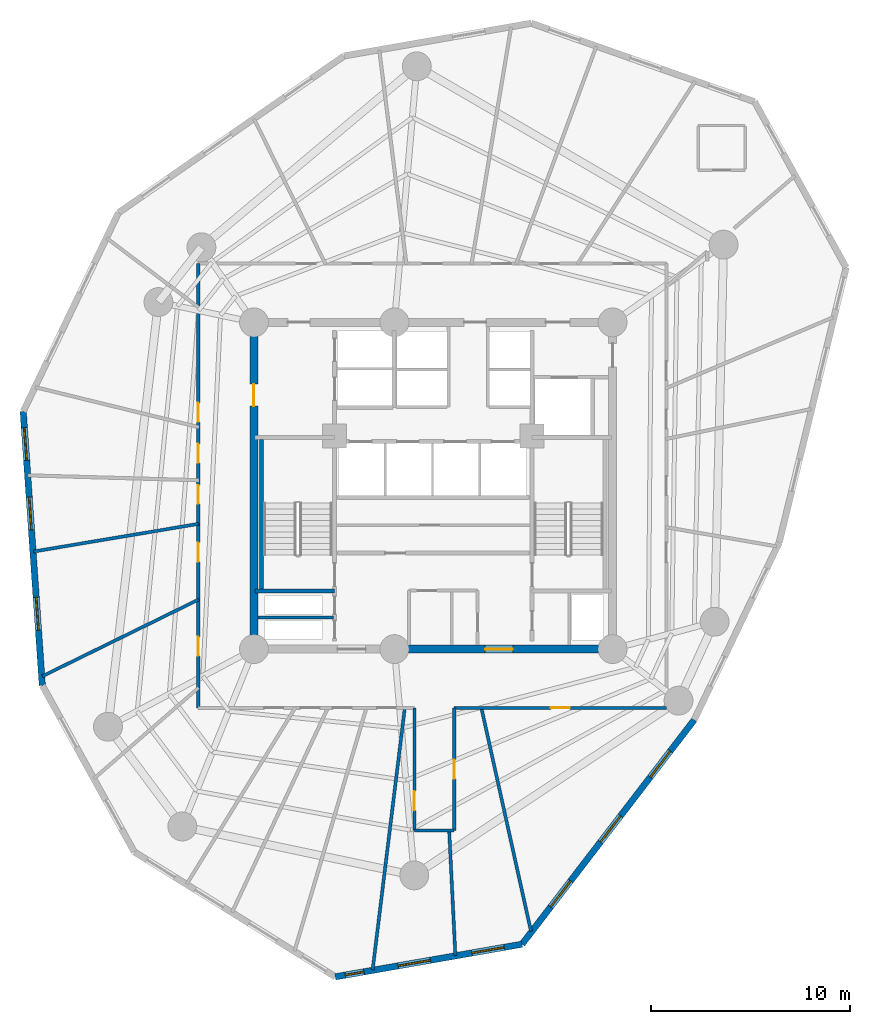
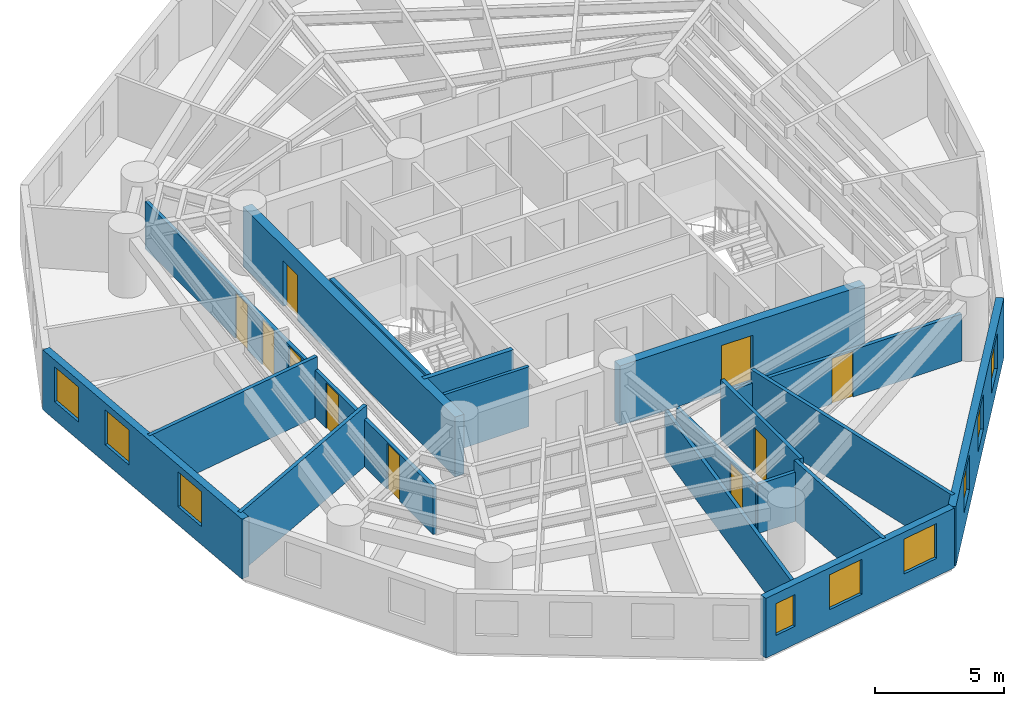
# One storey, part 3 of 7: 18 walls, 10 doors, 9 windows, 19 openings.
"""IFC4 building model written with IfcOpenShell, lengths in metres."""

from ifc_helpers import new_model, si_unit, direction, frame, frame_2d, origin, origin_with_axes, place, context, subcontext, project, spatial, rectangle, extrude, source, transform, mapped, material, layer, layer_set, type_object, element, fill, save


model = new_model("IFC4")

# Units and contexts
model_context = context("Model", 3, precision=1e-05, world=origin(), true_north=direction((0.0, 1.0)))
body_context = subcontext(model_context, "Body", "Model", "MODEL_VIEW")
ifc_project = project(units=[si_unit("LENGTHUNIT", "METRE"), si_unit("AREAUNIT", "SQUARE_METRE"), si_unit("VOLUMEUNIT", "CUBIC_METRE"), si_unit("PLANEANGLEUNIT", "RADIAN"), si_unit("MASSUNIT", "GRAM", prefix="KILO")], contexts=[model_context])

# Site, building, storey
site_placement = place(None, origin())
site = spatial("IfcSite", under=ifc_project, at=site_placement, CompositionType="ELEMENT")
building_placement = place(site_placement, origin())
building = spatial("IfcBuilding", under=site, at=building_placement, Name="Karkom Vertical University and Central Library", CompositionType="ELEMENT")
storey_placement = place(building_placement, frame((0.0, 0.0, 123.64990234375)))
storey = spatial("IfcBuildingStorey", under=building, at=storey_placement, Name="L34", CompositionType="ELEMENT", Elevation=123.64990234375)

# Wall, openings, windows
ifc_material_1 = material(Name="Brick-faced precast concrete C45/55", Category="masonry")
ifc_layer_1 = layer(ifc_material_1, 0.320068359375)
ifc_layer_set_1 = layer_set([ifc_layer_1], Name="Brick-faced precast concrete C45/55")
wall_type_1 = type_object("IfcWallType", Name="ENV-WL-BRK-320", PredefinedType="SOLIDWALL", material=ifc_layer_set_1)
wall_1_placement = place(storey_placement, frame((7.916748046875, 30.232666015625, 0.0), z_axis=(0.0, 0.0, 1.0), x_axis=(0.069619560058, -0.997573614756, 0.0)))
wall_1 = element("IfcWall", 1, at=wall_1_placement, inside=storey, type_object=wall_type_1, Name="Level 34 Brick-Faced Precast Facade Wall 02", PredefinedType="SOLIDWALL", context=body_context, shape_type="SweptSolid", body=[
    extrude(rectangle(XDim=13.795654296875, YDim=0.320068359375, at=frame_2d((6.89794921875, 0.0))), origin(), (0.0, 0.0, 1.0), 2.8251953125),
])
opening_1_placement = place(wall_1_placement, frame((0.81787109375, 0.0, 0.85009765625)))
opening_1 = element("IfcOpeningElement", 2, at=opening_1_placement, cuts=wall_1, Name="Opening WN-06", PredefinedType="OPENING", context=body_context, shape_type="SweptSolid", body=[
    extrude(rectangle(XDim=1.64990234375, YDim=1.64990234375, at=frame_2d((0.824951171875, 0.824951171875))), frame((0.0, 0.169921875, 0.0), z_axis=(0.0, -1.0, 0.0), x_axis=(1.0, 0.0, 0.0)), (0.0, 0.0, 1.0), 0.340087890625),
])
opening_2_placement = place(wall_1_placement, frame((4.313232421875, 0.0, 0.85009765625)))
opening_2 = element("IfcOpeningElement", 3, at=opening_2_placement, cuts=wall_1, Name="Opening WN-06", PredefinedType="OPENING", context=body_context, shape_type="SweptSolid", body=[
    extrude(rectangle(XDim=1.64990234375, YDim=1.64990234375, at=frame_2d((0.824951171875, 0.824951171875))), frame((0.0, 0.169921875, 0.0), z_axis=(0.0, -1.0, 0.0), x_axis=(1.0, 0.0, 0.0)), (0.0, 0.0, 1.0), 0.340087890625),
])
opening_3_placement = place(wall_1_placement, frame((9.35888671875, 0.0, 0.85009765625)))
opening_3 = element("IfcOpeningElement", 4, at=opening_3_placement, cuts=wall_1, Name="Opening WN-06", PredefinedType="OPENING", context=body_context, shape_type="SweptSolid", body=[
    extrude(rectangle(XDim=1.64990234375, YDim=1.64990234375, at=frame_2d((0.824951171875, 0.824951171875))), frame((0.0, 0.169921875, 0.0), z_axis=(0.0, -1.0, 0.0), x_axis=(1.0, 0.0, 0.0)), (0.0, 0.0, 1.0), 0.340087890625),
])
ifc_material_2 = material(Name="Aluminium thermal-break frame with solar-control IGU", Category="aluminium")
window_type_1 = type_object("IfcWindowType", Name="ENV-WIN-WN-06", PartitioningType="SINGLE_PANEL", PredefinedType="WINDOW", material=ifc_material_2)
shared_shape_1 = source(origin_with_axes(), body_context, "Body", "SweptSolid", [
    extrude(rectangle(XDim=1.64990234375, YDim=1.64990234375, at=frame_2d((0.824951171875, 0.824951171875))), frame((0.0, 0.030029296875, 0.0), z_axis=(0.0, -1.0, 0.0), x_axis=(1.0, 0.0, 0.0)), (0.0, 0.0, 1.0), 0.06005859375),
])
window_1_placement = place(opening_1_placement, origin())
window_1 = element("IfcWindow", 5, at=window_1_placement, inside=storey, type_object=window_type_1, Name="Level 34 Punched Window 2.1", OverallHeight=1.64990234375, OverallWidth=1.64990234375, PartitioningType="SINGLE_PANEL", PredefinedType="WINDOW", context=body_context, shape_type="MappedRepresentation", body=[
    mapped(shared_shape_1, transform((0.0, 0.0, 0.0), scale=1.0)),
])
fill(opening_1, window_1)
window_2_placement = place(opening_2_placement, origin())
window_2 = element("IfcWindow", 6, at=window_2_placement, inside=storey, type_object=window_type_1, Name="Level 34 Punched Window 2.2", OverallHeight=1.64990234375, OverallWidth=1.64990234375, PartitioningType="SINGLE_PANEL", PredefinedType="WINDOW", context=body_context, shape_type="MappedRepresentation", body=[
    mapped(shared_shape_1, transform((0.0, 0.0, 0.0), scale=1.0)),
])
fill(opening_2, window_2)
window_3_placement = place(opening_3_placement, origin())
window_3 = element("IfcWindow", 7, at=window_3_placement, inside=storey, type_object=window_type_1, Name="Level 34 Punched Window 2.3", OverallHeight=1.64990234375, OverallWidth=1.64990234375, PartitioningType="SINGLE_PANEL", PredefinedType="WINDOW", context=body_context, shape_type="MappedRepresentation", body=[
    mapped(shared_shape_1, transform((0.0, 0.0, 0.0), scale=1.0)),
])
fill(opening_3, window_3)

wall_2_placement = place(storey_placement, frame((23.580322265625, 1.85009765625, 0.0), z_axis=(0.0, 0.0, 1.0), x_axis=(0.985090629545, 0.172036192654, 0.0)))
wall_2 = element("IfcWall", 8, at=wall_2_placement, inside=storey, type_object=wall_type_1, Name="Level 34 Brick-Faced Precast Facade Wall 05", PredefinedType="SOLIDWALL", context=body_context, shape_type="SweptSolid", body=[
    extrude(rectangle(XDim=9.5166015625, YDim=0.320068359375, at=frame_2d((4.75830078125, 0.0))), origin(), (0.0, 0.0, 1.0), 2.8251953125),
])
opening_4_placement = place(wall_2_placement, frame((0.514892578125, 0.0, 0.85009765625)))
opening_4 = element("IfcOpeningElement", 9, at=opening_4_placement, cuts=wall_2, Name="Opening WN-12", PredefinedType="OPENING", context=body_context, shape_type="SweptSolid", body=[
    extrude(rectangle(XDim=0.949951171875, YDim=1.5, at=frame_2d((0.47509765625, 0.75))), frame((0.0, 0.169921875, 0.0), z_axis=(0.0, -1.0, 0.0), x_axis=(1.0, 0.0, 0.0)), (0.0, 0.0, 1.0), 0.340087890625),
])
opening_5_placement = place(wall_2_placement, frame((3.199462890625, 0.0, 0.85009765625)))
opening_5 = element("IfcOpeningElement", 10, at=opening_5_placement, cuts=wall_2, Name="Opening WN-06", PredefinedType="OPENING", context=body_context, shape_type="SweptSolid", body=[
    extrude(rectangle(XDim=1.64990234375, YDim=1.64990234375, at=frame_2d((0.824951171875, 0.824951171875))), frame((0.0, 0.169921875, 0.0), z_axis=(0.0, -1.0, 0.0), x_axis=(1.0, 0.0, 0.0)), (0.0, 0.0, 1.0), 0.340087890625),
])
opening_6_placement = place(wall_2_placement, frame((6.9677734375, 0.0, 0.85009765625)))
opening_6 = element("IfcOpeningElement", 11, at=opening_6_placement, cuts=wall_2, Name="Opening WN-06", PredefinedType="OPENING", context=body_context, shape_type="SweptSolid", body=[
    extrude(rectangle(XDim=1.64990234375, YDim=1.64990234375, at=frame_2d((0.824951171875, 0.824951171875))), frame((0.0, 0.169921875, 0.0), z_axis=(0.0, -1.0, 0.0), x_axis=(1.0, 0.0, 0.0)), (0.0, 0.0, 1.0), 0.340087890625),
])
window_4_placement = place(opening_5_placement, origin())
window_4 = element("IfcWindow", 12, at=window_4_placement, inside=storey, type_object=window_type_1, Name="Level 34 Punched Window 5.2", OverallHeight=1.64990234375, OverallWidth=1.64990234375, PartitioningType="SINGLE_PANEL", PredefinedType="WINDOW", context=body_context, shape_type="MappedRepresentation", body=[
    mapped(shared_shape_1, transform((0.0, 0.0, 0.0), scale=1.0)),
])
fill(opening_5, window_4)
window_5_placement = place(opening_6_placement, origin())
window_5 = element("IfcWindow", 13, at=window_5_placement, inside=storey, type_object=window_type_1, Name="Level 34 Punched Window 5.3", OverallHeight=1.64990234375, OverallWidth=1.64990234375, PartitioningType="SINGLE_PANEL", PredefinedType="WINDOW", context=body_context, shape_type="MappedRepresentation", body=[
    mapped(shared_shape_1, transform((0.0, 0.0, 0.0), scale=1.0)),
])
fill(opening_6, window_5)
window_type_2 = type_object("IfcWindowType", Name="ENV-WIN-WN-12", PartitioningType="SINGLE_PANEL", PredefinedType="WINDOW", material=ifc_material_2)
shared_shape_2 = source(origin_with_axes(), body_context, "Body", "SweptSolid", [
    extrude(rectangle(XDim=0.949951171875, YDim=1.5, at=frame_2d((0.47509765625, 0.75))), frame((0.0, 0.030029296875, 0.0), z_axis=(0.0, -1.0, 0.0), x_axis=(1.0, 0.0, 0.0)), (0.0, 0.0, 1.0), 0.06005859375),
])
window_6_placement = place(opening_4_placement, origin())
window_6 = element("IfcWindow", 14, at=window_6_placement, inside=storey, type_object=window_type_2, Name="Level 34 Punched Window 5.1", OverallHeight=1.5, OverallWidth=0.949951171875, PartitioningType="SINGLE_PANEL", PredefinedType="WINDOW", context=body_context, shape_type="MappedRepresentation", body=[
    mapped(shared_shape_2, transform((0.0, 0.0, 0.0), scale=1.0)),
])
fill(opening_4, window_6)

wall_3_placement = place(storey_placement, frame((32.955078125, 3.4873046875, 0.0), z_axis=(0.0, 0.0, 1.0), x_axis=(0.608995925668, 0.793173349603, 0.0)))
wall_3 = element("IfcWall", 15, at=wall_3_placement, inside=storey, type_object=wall_type_1, Name="Level 34 Brick-Faced Precast Facade Wall 06", PredefinedType="SOLIDWALL", context=body_context, shape_type="SweptSolid", body=[
    extrude(rectangle(XDim=14.199462890625, YDim=0.320068359375, at=frame_2d((7.099609375, 0.0))), origin(), (0.0, 0.0, 1.0), 2.8251953125),
])
opening_7_placement = place(wall_3_placement, frame((2.35986328125, 0.0, 0.85009765625)))
opening_7 = element("IfcOpeningElement", 16, at=opening_7_placement, cuts=wall_3, Name="Opening WN-06", PredefinedType="OPENING", context=body_context, shape_type="SweptSolid", body=[
    extrude(rectangle(XDim=1.64990234375, YDim=1.64990234375, at=frame_2d((0.824951171875, 0.824951171875))), frame((0.0, 0.169921875, 0.0), z_axis=(0.0, -1.0, 0.0), x_axis=(1.0, 0.0, 0.0)), (0.0, 0.0, 1.0), 0.340087890625),
])
opening_8_placement = place(wall_3_placement, frame((6.466552734375, 0.0, 0.85009765625)))
opening_8 = element("IfcOpeningElement", 17, at=opening_8_placement, cuts=wall_3, Name="Opening WN-06", PredefinedType="OPENING", context=body_context, shape_type="SweptSolid", body=[
    extrude(rectangle(XDim=1.64990234375, YDim=1.64990234375, at=frame_2d((0.824951171875, 0.824951171875))), frame((0.0, 0.169921875, 0.0), z_axis=(0.0, -1.0, 0.0), x_axis=(1.0, 0.0, 0.0)), (0.0, 0.0, 1.0), 0.340087890625),
])
opening_9_placement = place(wall_3_placement, frame((10.572998046875, 0.0, 0.85009765625)))
opening_9 = element("IfcOpeningElement", 18, at=opening_9_placement, cuts=wall_3, Name="Opening WN-06", PredefinedType="OPENING", context=body_context, shape_type="SweptSolid", body=[
    extrude(rectangle(XDim=1.64990234375, YDim=1.64990234375, at=frame_2d((0.824951171875, 0.824951171875))), frame((0.0, 0.169921875, 0.0), z_axis=(0.0, -1.0, 0.0), x_axis=(1.0, 0.0, 0.0)), (0.0, 0.0, 1.0), 0.340087890625),
])
window_7_placement = place(opening_7_placement, origin())
window_7 = element("IfcWindow", 19, at=window_7_placement, inside=storey, type_object=window_type_1, Name="Level 34 Punched Window 6.1", OverallHeight=1.64990234375, OverallWidth=1.64990234375, PartitioningType="SINGLE_PANEL", PredefinedType="WINDOW", context=body_context, shape_type="MappedRepresentation", body=[
    mapped(shared_shape_1, transform((0.0, 0.0, 0.0), scale=1.0)),
])
fill(opening_7, window_7)
window_8_placement = place(opening_8_placement, origin())
window_8 = element("IfcWindow", 20, at=window_8_placement, inside=storey, type_object=window_type_1, Name="Level 34 Punched Window 6.2", OverallHeight=1.64990234375, OverallWidth=1.64990234375, PartitioningType="SINGLE_PANEL", PredefinedType="WINDOW", context=body_context, shape_type="MappedRepresentation", body=[
    mapped(shared_shape_1, transform((0.0, 0.0, 0.0), scale=1.0)),
])
fill(opening_8, window_8)
window_9_placement = place(opening_9_placement, origin())
window_9 = element("IfcWindow", 21, at=window_9_placement, inside=storey, type_object=window_type_1, Name="Level 34 Punched Window 6.3", OverallHeight=1.64990234375, OverallWidth=1.64990234375, PartitioningType="SINGLE_PANEL", PredefinedType="WINDOW", context=body_context, shape_type="MappedRepresentation", body=[
    mapped(shared_shape_1, transform((0.0, 0.0, 0.0), scale=1.0)),
])
fill(opening_9, window_9)

# Wall, openings, doors
ifc_material_3 = material(Name="Insulated metal-stud drywall 160mm", Category="gypsum")
ifc_layer_2 = layer(ifc_material_3, 0.159912109375)
ifc_layer_set_2 = layer_set([ifc_layer_2], Name="Insulated metal-stud drywall 160mm")
wall_type_2 = type_object("IfcWallType", Name="INT-WL-COR-160", PredefinedType="PARTITIONING", material=ifc_layer_set_2)
wall_4_placement = place(storey_placement, frame((16.699951171875, 15.35009765625, 0.0), z_axis=(0.0, 0.0, 1.0), x_axis=(0.0, 1.0, 0.0)))
wall_4 = element("IfcWall", 22, at=wall_4_placement, inside=storey, type_object=wall_type_2, Name="Level 34 Interior Partition Wall L34-CORW-CW-002", PredefinedType="PARTITIONING", context=body_context, shape_type="SweptSolid", body=[
    extrude(rectangle(XDim=22.2998046875, YDim=0.159912109375, at=frame_2d((11.14990234375, 0.0))), origin(), (0.0, 0.0, 1.0), 2.22509765625),
])
opening_10_placement = place(wall_4_placement, frame((10.235107421875, 0.0, 0.0)))
opening_10 = element("IfcOpeningElement", 23, at=opening_10_placement, cuts=wall_4, Name="Opening D-RM1", PredefinedType="OPENING", context=body_context, shape_type="SweptSolid", body=[
    extrude(rectangle(XDim=0.949951171875, YDim=2.14990234375, at=frame_2d((0.47509765625, 1.074951171875))), frame((0.0, 0.08984375, 0.0), z_axis=(0.0, -1.0, 0.0), x_axis=(1.0, 0.0, 0.0)), (0.0, 0.0, 1.0), 0.179931640625),
])
opening_11_placement = place(wall_4_placement, frame((7.330078125, 0.0, 0.0)))
opening_11 = element("IfcOpeningElement", 24, at=opening_11_placement, cuts=wall_4, Name="Opening FD-RM2", PredefinedType="OPENING", context=body_context, shape_type="SweptSolid", body=[
    extrude(rectangle(XDim=0.9599609375, YDim=2.14990234375, at=frame_2d((0.47998046875, 1.074951171875))), frame((0.0, 0.08984375, 0.0), z_axis=(0.0, -1.0, 0.0), x_axis=(1.0, 0.0, 0.0)), (0.0, 0.0, 1.0), 0.179931640625),
])
opening_12_placement = place(wall_4_placement, frame((2.61279296875, 0.0, 0.0)))
opening_12 = element("IfcOpeningElement", 25, at=opening_12_placement, cuts=wall_4, Name="Opening D-RM1", PredefinedType="OPENING", context=body_context, shape_type="SweptSolid", body=[
    extrude(rectangle(XDim=0.949951171875, YDim=2.14990234375, at=frame_2d((0.47509765625, 1.074951171875))), frame((0.0, 0.08984375, 0.0), z_axis=(0.0, -1.0, 0.0), x_axis=(1.0, 0.0, 0.0)), (0.0, 0.0, 1.0), 0.179931640625),
])
opening_13_placement = place(wall_4_placement, frame((14.360107421875, 0.0, 0.0)))
opening_13 = element("IfcOpeningElement", 26, at=opening_13_placement, cuts=wall_4, Name="Opening D-RM1", PredefinedType="OPENING", context=body_context, shape_type="SweptSolid", body=[
    extrude(rectangle(XDim=0.949951171875, YDim=2.14990234375, at=frame_2d((0.47509765625, 1.074951171875))), frame((0.0, 0.08984375, 0.0), z_axis=(0.0, -1.0, 0.0), x_axis=(1.0, 0.0, 0.0)), (0.0, 0.0, 1.0), 0.179931640625),
])
opening_14_placement = place(wall_4_placement, frame((12.296142578125, 0.0, 0.0)))
opening_14 = element("IfcOpeningElement", 27, at=opening_14_placement, cuts=wall_4, Name="Opening D-RM1", PredefinedType="OPENING", context=body_context, shape_type="SweptSolid", body=[
    extrude(rectangle(XDim=0.949951171875, YDim=2.14990234375, at=frame_2d((0.47509765625, 1.074951171875))), frame((0.0, 0.08984375, 0.0), z_axis=(0.0, -1.0, 0.0), x_axis=(1.0, 0.0, 0.0)), (0.0, 0.0, 1.0), 0.179931640625),
])
ifc_material_4 = material(Name="Fire-rated oak veneer door", Category="wood")
door_type_1 = type_object("IfcDoorType", Name="INT-DR-FRM2", OperationType="NOTDEFINED", PredefinedType="DOOR", material=ifc_material_4)
shared_shape_3 = source(origin_with_axes(), body_context, "Body", "SweptSolid", [
    extrude(rectangle(XDim=0.9599609375, YDim=2.14990234375, at=frame_2d((0.47998046875, 1.074951171875))), frame((0.0, 0.02490234375, 0.0), z_axis=(0.0, -1.0, 0.0), x_axis=(1.0, 0.0, 0.0)), (0.0, 0.0, 1.0), 0.050048828125),
])
door_1_placement = place(opening_11_placement, origin())
door_1 = element("IfcDoor", 28, at=door_1_placement, inside=storey, type_object=door_type_1, Name="Level 34 Room Entry Door 010", OperationType="SINGLE_SWING_RIGHT", OverallHeight=2.14990234375, OverallWidth=0.9599609375, PredefinedType="DOOR", context=body_context, shape_type="MappedRepresentation", body=[
    mapped(shared_shape_3, transform((0.0, 0.0, 0.0), scale=1.0)),
])
fill(opening_11, door_1)
ifc_material_5 = material(Name="Solid-core oak veneer door", Category="wood")
door_type_2 = type_object("IfcDoorType", Name="INT-DR-RM1", OperationType="NOTDEFINED", PredefinedType="DOOR", material=ifc_material_5)
shared_shape_4 = source(origin_with_axes(), body_context, "Body", "SweptSolid", [
    extrude(rectangle(XDim=0.949951171875, YDim=2.14990234375, at=frame_2d((0.47509765625, 1.074951171875))), frame((0.0, 0.02490234375, 0.0), z_axis=(0.0, -1.0, 0.0), x_axis=(1.0, 0.0, 0.0)), (0.0, 0.0, 1.0), 0.050048828125),
])
door_2_placement = place(opening_10_placement, origin())
door_2 = element("IfcDoor", 29, at=door_2_placement, inside=storey, type_object=door_type_2, Name="Level 34 Room Entry Door 000", OperationType="SINGLE_SWING_LEFT", OverallHeight=2.14990234375, OverallWidth=0.949951171875, PredefinedType="DOOR", context=body_context, shape_type="MappedRepresentation", body=[
    mapped(shared_shape_4, transform((0.0, 0.0, 0.0), scale=1.0)),
])
fill(opening_10, door_2)
door_3_placement = place(opening_12_placement, origin())
door_3 = element("IfcDoor", 30, at=door_3_placement, inside=storey, type_object=door_type_2, Name="Level 34 Room Entry Door 020", OperationType="SINGLE_SWING_LEFT", OverallHeight=2.14990234375, OverallWidth=0.949951171875, PredefinedType="DOOR", context=body_context, shape_type="MappedRepresentation", body=[
    mapped(shared_shape_4, transform((0.0, 0.0, 0.0), scale=1.0)),
])
fill(opening_12, door_3)
door_4_placement = place(opening_13_placement, origin())
door_4 = element("IfcDoor", 31, at=door_4_placement, inside=storey, type_object=door_type_2, Name="Level 34 Room Entry Door 200", OperationType="SINGLE_SWING_LEFT", OverallHeight=2.14990234375, OverallWidth=0.949951171875, PredefinedType="DOOR", context=body_context, shape_type="MappedRepresentation", body=[
    mapped(shared_shape_4, transform((0.0, 0.0, 0.0), scale=1.0)),
])
fill(opening_13, door_4)
door_5_placement = place(opening_14_placement, origin())
door_5 = element("IfcDoor", 32, at=door_5_placement, inside=storey, type_object=door_type_2, Name="Level 34 Room Entry Door 210", OperationType="SINGLE_SWING_RIGHT", OverallHeight=2.14990234375, OverallWidth=0.949951171875, PredefinedType="DOOR", context=body_context, shape_type="MappedRepresentation", body=[
    mapped(shared_shape_4, transform((0.0, 0.0, 0.0), scale=1.0)),
])
fill(opening_14, door_5)

# Walls
wall_5_placement = place(storey_placement, frame((27.07421875, 15.3798828125, 0.0), z_axis=(0.0, 0.0, 1.0), x_axis=(-0.121861100073, -0.992547163761, 0.0)))
element("IfcWall", 33, at=wall_5_placement, inside=storey, type_object=wall_type_2, Name="Level 34 Interior Partition Wall L34-PW-008", PredefinedType="PARTITIONING", context=body_context, shape_type="SweptSolid", body=[
    extrude(rectangle(XDim=13.272705078125, YDim=0.159912109375, at=frame_2d((6.63623046875, 0.0))), origin(), (0.0, 0.0, 1.0), 2.22509765625),
])
wall_6_placement = place(storey_placement, frame((30.90771484375, 15.37939453125, 0.0), z_axis=(0.0, 0.0, 1.0), x_axis=(0.216759848163, -0.976224957796, 0.0)))
element("IfcWall", 34, at=wall_6_placement, inside=storey, type_object=wall_type_2, Name="Level 34 Interior Partition Wall L34-PW-010", PredefinedType="PARTITIONING", context=body_context, shape_type="SweptSolid", body=[
    extrude(rectangle(XDim=11.515380859375, YDim=0.159912109375, at=frame_2d((5.7578125, 0.0))), origin(), (0.0, 0.0, 1.0), 2.8251953125),
])

# Wall, opening, door
wall_7_placement = place(storey_placement, frame((40.199951171875, 15.35009765625, 0.0), z_axis=(0.0, 0.0, 1.0), x_axis=(-1.0, 0.0, 0.0)))
wall_7 = element("IfcWall", 35, at=wall_7_placement, inside=storey, type_object=wall_type_2, Name="Level 34 Interior Partition Wall L34-CORW-CW-005", PredefinedType="PARTITIONING", context=body_context, shape_type="SweptSolid", body=[
    extrude(rectangle(XDim=10.64990234375, YDim=0.159912109375, at=frame_2d((5.324951171875, 0.0))), origin(), (0.0, 0.0, 1.0), 2.22509765625),
])
opening_15_placement = place(wall_7_placement, frame((4.85009765625, 0.0, 0.0)))
opening_15 = element("IfcOpeningElement", 36, at=opening_15_placement, cuts=wall_7, Name="Opening D-RM1", PredefinedType="OPENING", context=body_context, shape_type="SweptSolid", body=[
    extrude(rectangle(XDim=0.949951171875, YDim=2.14990234375, at=frame_2d((0.47509765625, 1.074951171875))), frame((0.0, 0.08984375, 0.0), z_axis=(0.0, -1.0, 0.0), x_axis=(1.0, 0.0, 0.0)), (0.0, 0.0, 1.0), 0.179931640625),
])
door_6_placement = place(opening_15_placement, origin())
door_6 = element("IfcDoor", 37, at=door_6_placement, inside=storey, type_object=door_type_2, Name="Level 34 Room Entry Door 090", OperationType="SINGLE_SWING_RIGHT", OverallHeight=2.14990234375, OverallWidth=0.949951171875, PredefinedType="DOOR", context=body_context, shape_type="MappedRepresentation", body=[
    mapped(shared_shape_4, transform((0.0, 0.0, 0.0), scale=1.0)),
])
fill(opening_15, door_6)

# Walls
wall_8_placement = place(storey_placement, frame((16.726806640625, 20.7900390625, 0.0), z_axis=(0.0, 0.0, 1.0), x_axis=(-0.897746091543, -0.440513285973, 0.0)))
element("IfcWall", 38, at=wall_8_placement, inside=storey, type_object=wall_type_2, Name="Level 34 Interior Partition Wall L34-PW-003", PredefinedType="PARTITIONING", context=body_context, shape_type="SweptSolid", body=[
    extrude(rectangle(XDim=8.74658203125, YDim=0.159912109375, at=frame_2d((4.373291015625, 0.0))), origin(), (0.0, 0.0, 1.0), 2.8251953125),
])
wall_9_placement = place(storey_placement, frame((16.7294921875, 24.587890625, 0.0), z_axis=(0.0, 0.0, 1.0), x_axis=(-0.986241329438, -0.165311947869, 0.0)))
element("IfcWall", 39, at=wall_9_placement, inside=storey, type_object=wall_type_2, Name="Level 34 Interior Partition Wall L34-PW-001", PredefinedType="PARTITIONING", context=body_context, shape_type="SweptSolid", body=[
    extrude(rectangle(XDim=8.412109375, YDim=0.159912109375, at=frame_2d((4.2060546875, 0.0))), origin(), (0.0, 0.0, 1.0), 2.8251953125),
])
wall_10_placement = place(storey_placement, frame((29.296630859375, 9.22998046875, 0.0), z_axis=(0.0, 0.0, 1.0), x_axis=(0.049532306397, -0.99877252196, 0.0)))
element("IfcWall", 40, at=wall_10_placement, inside=storey, type_object=wall_type_2, Name="Level 34 Interior Partition Wall L34-PW-009", PredefinedType="PARTITIONING", context=body_context, shape_type="SweptSolid", body=[
    extrude(rectangle(XDim=6.30908203125, YDim=0.159912109375, at=frame_2d((3.154541015625, 0.0))), origin(), (0.0, 0.0, 1.0), 2.8251953125),
])

# Wall, opening, door
wall_11_placement = place(storey_placement, frame((29.550048828125, 15.35009765625, 0.0), z_axis=(0.0, 0.0, 1.0), x_axis=(0.0, -1.0, 0.0)))
wall_11 = element("IfcWall", 41, at=wall_11_placement, inside=storey, type_object=wall_type_2, Name="Level 34 Interior Partition Wall L34-CORW-CW-006", PredefinedType="PARTITIONING", context=body_context, shape_type="SweptSolid", body=[
    extrude(rectangle(XDim=6.150146484375, YDim=0.159912109375, at=frame_2d((3.0751953125, 0.0))), origin(), (0.0, 0.0, 1.0), 2.8251953125),
])
opening_16_placement = place(wall_11_placement, frame((2.60009765625, 0.0, 0.0)))
opening_16 = element("IfcOpeningElement", 42, at=opening_16_placement, cuts=wall_11, Name="Opening FD-RM2", PredefinedType="OPENING", context=body_context, shape_type="SweptSolid", body=[
    extrude(rectangle(XDim=0.9599609375, YDim=2.14990234375, at=frame_2d((0.47998046875, 1.074951171875))), frame((0.0, 0.08984375, 0.0), z_axis=(0.0, -1.0, 0.0), x_axis=(1.0, 0.0, 0.0)), (0.0, 0.0, 1.0), 0.179931640625),
])
door_7_placement = place(opening_16_placement, origin())
door_7 = element("IfcDoor", 43, at=door_7_placement, inside=storey, type_object=door_type_1, Name="Level 34 Room Entry Door 080", OperationType="SINGLE_SWING_LEFT", OverallHeight=2.14990234375, OverallWidth=0.9599609375, PredefinedType="DOOR", context=body_context, shape_type="MappedRepresentation", body=[
    mapped(shared_shape_3, transform((0.0, 0.0, 0.0), scale=1.0)),
])
fill(opening_16, door_7)

wall_12_placement = place(storey_placement, frame((27.550048828125, 9.199951171875, 0.0), z_axis=(0.0, 0.0, 1.0), x_axis=(0.0, 1.0, 0.0)))
wall_12 = element("IfcWall", 44, at=wall_12_placement, inside=storey, type_object=wall_type_2, Name="Level 34 Interior Partition Wall L34-CORW-CW-008", PredefinedType="PARTITIONING", context=body_context, shape_type="SweptSolid", body=[
    extrude(rectangle(XDim=6.150146484375, YDim=0.159912109375, at=frame_2d((3.0751953125, 0.0))), origin(), (0.0, 0.0, 1.0), 2.22509765625),
])
opening_17_placement = place(wall_12_placement, frame((1.010009765625, 0.0, 0.0)))
opening_17 = element("IfcOpeningElement", 45, at=opening_17_placement, cuts=wall_12, Name="Opening FD-RM2", PredefinedType="OPENING", context=body_context, shape_type="SweptSolid", body=[
    extrude(rectangle(XDim=0.9599609375, YDim=2.14990234375, at=frame_2d((0.47998046875, 1.074951171875))), frame((0.0, 0.08984375, 0.0), z_axis=(0.0, -1.0, 0.0), x_axis=(1.0, 0.0, 0.0)), (0.0, 0.0, 1.0), 0.179931640625),
])
door_8_placement = place(opening_17_placement, origin())
door_8 = element("IfcDoor", 46, at=door_8_placement, inside=storey, type_object=door_type_1, Name="Level 34 Room Entry Door 070", OperationType="SINGLE_SWING_RIGHT", OverallHeight=2.14990234375, OverallWidth=0.9599609375, PredefinedType="DOOR", context=body_context, shape_type="MappedRepresentation", body=[
    mapped(shared_shape_3, transform((0.0, 0.0, 0.0), scale=1.0)),
])
fill(opening_17, door_8)

# Walls
wall_13_placement = place(storey_placement, frame((29.550048828125, 9.199951171875, 0.0), z_axis=(0.0, 0.0, 1.0), x_axis=(-1.0, 0.0, 0.0)))
element("IfcWall", 47, at=wall_13_placement, inside=storey, type_object=wall_type_2, Name="Level 34 Interior Partition Wall L34-CORW-CW-007", PredefinedType="PARTITIONING", context=body_context, shape_type="SweptSolid", body=[
    extrude(rectangle(XDim=2.0, YDim=0.159912109375, at=frame_2d((1.0, 0.0))), origin(), (0.0, 0.0, 1.0), 2.3251953125),
])
ifc_material_6 = material(Name="Metal-stud gypsum partition 140mm", Category="gypsum")
ifc_layer_3 = layer(ifc_material_6, 0.139892578125)
ifc_layer_set_3 = layer_set([ifc_layer_3], Name="Metal-stud gypsum partition 140mm")
wall_type_3 = type_object("IfcWallType", Name="INT-WL-SUB-140H", PredefinedType="PARTITIONING", material=ifc_layer_set_3)
wall_14_placement = place(storey_placement, frame((19.70703125, 19.889892578125, 0.0), z_axis=(0.0, 0.0, 1.0), x_axis=(1.0, 0.0, 0.0)))
element("IfcWall", 48, at=wall_14_placement, inside=storey, type_object=wall_type_3, Name="Level 34 Interior Partition Wall L34-CW-RIS-W", PredefinedType="PARTITIONING", context=body_context, shape_type="SweptSolid", body=[
    extrude(rectangle(XDim=3.789794921875, YDim=0.139892578125, at=frame_2d((1.89501953125, 0.0))), origin(), (0.0, 0.0, 1.0), 2.8251953125),
])

# Wall, opening, door
ifc_material_7 = material(Name="Concrete C50/60", Category="concrete")
ifc_layer_4 = layer(ifc_material_7, 0.39990234375)
ifc_layer_set_4 = layer_set([ifc_layer_4], Name="Concrete C50/60")
wall_type_4 = type_object("IfcWallType", Name="STR-WL-CW-400", PredefinedType="SHEAR", material=ifc_layer_set_4)
wall_15_placement = place(storey_placement, frame((26.550048828125, 18.300048828125, 0.0), z_axis=(0.0, 0.0, 1.0), x_axis=(1.0, 0.0, 0.0)))
wall_15 = element("IfcWall", 49, at=wall_15_placement, inside=storey, type_object=wall_type_4, Name="Level 34 Central Core Shear Wall SW2", PredefinedType="SHEAR", context=body_context, shape_type="SweptSolid", body=[
    extrude(rectangle(XDim=10.949951171875, YDim=0.39990234375, at=frame_2d((5.47509765625, 0.0))), origin(), (0.0, 0.0, 1.0), 2.8251953125),
])
opening_18_placement = place(wall_15_placement, frame((4.550048828125, 0.0, 0.0)))
opening_18 = element("IfcOpeningElement", 50, at=opening_18_placement, cuts=wall_15, Name="Opening FD-CLB", PredefinedType="OPENING", context=body_context, shape_type="SweptSolid", body=[
    extrude(rectangle(XDim=1.39990234375, YDim=2.199951171875, at=frame_2d((0.699951171875, 1.10009765625))), frame((0.0, 0.2099609375, 0.0), z_axis=(0.0, -1.0, 0.0), x_axis=(1.0, 0.0, 0.0)), (0.0, 0.0, 1.0), 0.419921875),
])
ifc_material_8 = material(Name="Painted steel fire door", Category="steel")
door_type_3 = type_object("IfcDoorType", Name="INT-DR-CLB", OperationType="DOUBLE_DOOR_SINGLE_SWING", PredefinedType="DOOR", material=ifc_material_8)
shared_shape_5 = source(origin_with_axes(), body_context, "Body", "SweptSolid", [
    extrude(rectangle(XDim=1.39990234375, YDim=2.199951171875, at=frame_2d((0.699951171875, 1.10009765625))), frame((0.0, 0.02490234375, 0.0), z_axis=(0.0, -1.0, 0.0), x_axis=(1.0, 0.0, 0.0)), (0.0, 0.0, 1.0), 0.050048828125),
])
door_9_placement = place(opening_18_placement, origin())
door_9 = element("IfcDoor", 51, at=door_9_placement, inside=storey, type_object=door_type_3, Name="Level 34 South Core Lobby East Exit Door", OperationType="DOUBLE_DOOR_SINGLE_SWING", OverallHeight=2.199951171875, OverallWidth=1.39990234375, PredefinedType="DOOR", context=body_context, shape_type="MappedRepresentation", body=[
    mapped(shared_shape_5, transform((0.0, 0.0, 0.0), scale=1.0)),
])
fill(opening_18, door_9)

wall_16_placement = place(storey_placement, frame((19.5, 34.699951171875, 0.0), z_axis=(0.0, 0.0, 1.0), x_axis=(0.0, -1.0, 0.0)))
wall_16 = element("IfcWall", 52, at=wall_16_placement, inside=storey, type_object=wall_type_4, Name="Level 34 Central Core Shear Wall WW", PredefinedType="SHEAR", context=body_context, shape_type="SweptSolid", body=[
    extrude(rectangle(XDim=16.39990234375, YDim=0.39990234375, at=frame_2d((8.199951171875, 0.0))), origin(), (0.0, 0.0, 1.0), 2.8251953125),
])
opening_19_placement = place(wall_16_placement, frame((3.10009765625, 0.0, 0.0)))
opening_19 = element("IfcOpeningElement", 53, at=opening_19_placement, cuts=wall_16, Name="Opening FD-FFL", PredefinedType="OPENING", context=body_context, shape_type="SweptSolid", body=[
    extrude(rectangle(XDim=1.10009765625, YDim=2.14990234375, at=frame_2d((0.550048828125, 1.074951171875))), frame((0.0, 0.2099609375, 0.0), z_axis=(0.0, -1.0, 0.0), x_axis=(1.0, 0.0, 0.0)), (0.0, 0.0, 1.0), 0.419921875),
])
ifc_material_9 = material(Name="Painted steel smoke-seal fire door", Category="steel")
door_type_4 = type_object("IfcDoorType", Name="INT-DR-FFL", OperationType="NOTDEFINED", PredefinedType="DOOR", material=ifc_material_9)
shared_shape_6 = source(origin_with_axes(), body_context, "Body", "SweptSolid", [
    extrude(rectangle(XDim=1.10009765625, YDim=2.14990234375, at=frame_2d((0.550048828125, 1.074951171875))), frame((0.0, 0.02490234375, 0.0), z_axis=(0.0, -1.0, 0.0), x_axis=(1.0, 0.0, 0.0)), (0.0, 0.0, 1.0), 0.050048828125),
])
door_10_placement = place(opening_19_placement, origin())
door_10 = element("IfcDoor", 54, at=door_10_placement, inside=storey, type_object=door_type_4, Name="Level 34 West Corridor Firefighting Lobby Door", OperationType="SINGLE_SWING_LEFT", OverallHeight=2.14990234375, OverallWidth=1.10009765625, PredefinedType="DOOR", context=body_context, shape_type="MappedRepresentation", body=[
    mapped(shared_shape_6, transform((0.0, 0.0, 0.0), scale=1.0)),
])
fill(opening_19, door_10)

# Walls
ifc_material_10 = material(Name="Concrete C45/55", Category="concrete")
ifc_layer_5 = layer(ifc_material_10, 0.199951171875)
ifc_layer_set_5 = layer_set([ifc_layer_5], Name="Concrete C45/55")
wall_type_5 = type_object("IfcWallType", Name="STR-WL-ST-200", PredefinedType="SHEAR", material=ifc_layer_set_5)
wall_17_placement = place(storey_placement, frame((19.875, 21.320068359375, 0.0), z_axis=(0.0, 0.0, 1.0), x_axis=(0.0, 1.0, 0.0)))
element("IfcWall", 55, at=wall_17_placement, inside=storey, type_object=wall_type_5, Name="Level 34 Core Shaft Wall L34-CW-ST1-W", PredefinedType="SHEAR", context=body_context, shape_type="SweptSolid", body=[
    extrude(rectangle(XDim=7.5, YDim=0.199951171875, at=frame_2d((3.75, 0.0))), origin(), (0.0, 0.0, 1.0), 2.8251953125),
])
wall_18_placement = place(storey_placement, frame((19.550048828125, 21.215087890625, 0.0), z_axis=(0.0, 0.0, 1.0), x_axis=(1.0, 0.0, 0.0)))
element("IfcWall", 56, at=wall_18_placement, inside=storey, type_object=wall_type_5, Name="Level 34 Core Shaft Wall L34-CW-ST1-S", PredefinedType="SHEAR", context=body_context, shape_type="SweptSolid", body=[
    extrude(rectangle(XDim=3.994873046875, YDim=0.199951171875, at=frame_2d((1.99755859375, 0.0))), origin(), (0.0, 0.0, 1.0), 2.8251953125),
])

save(model, "model.ifc")
